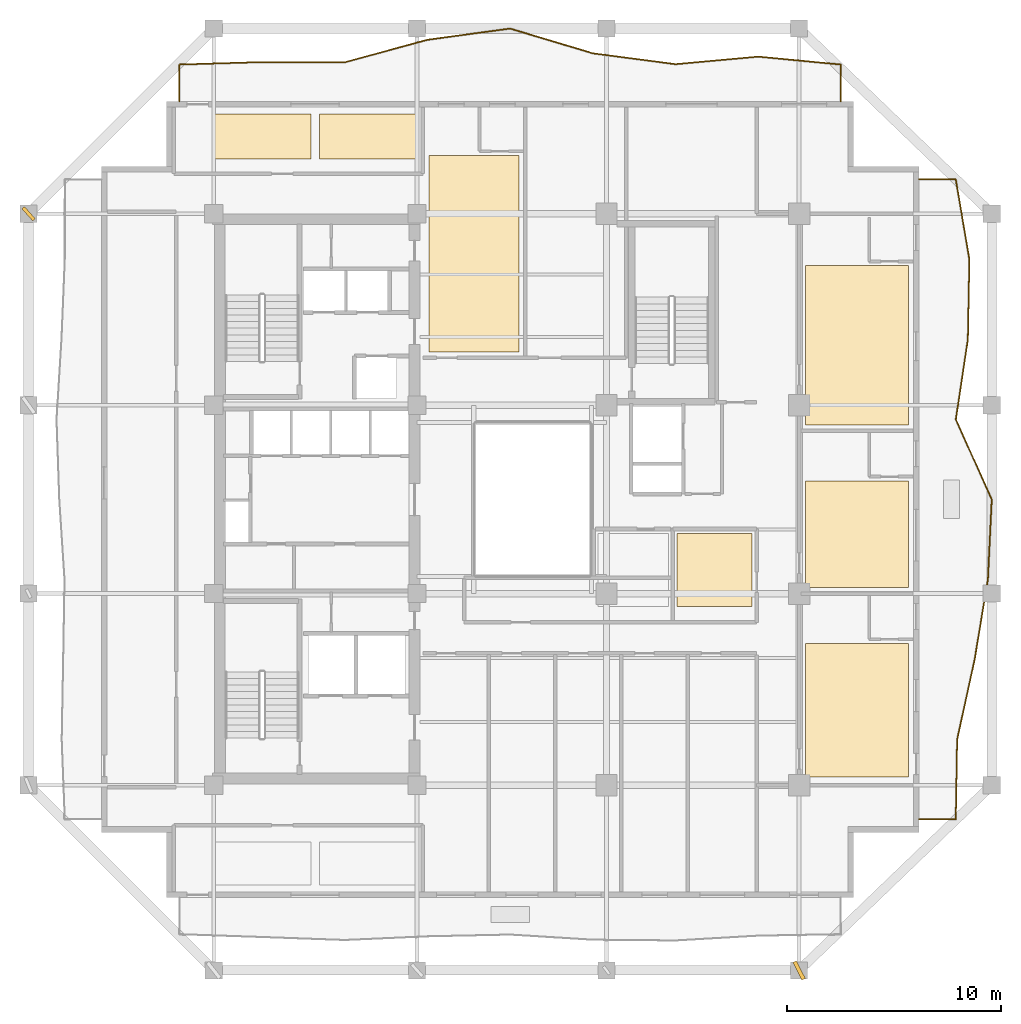
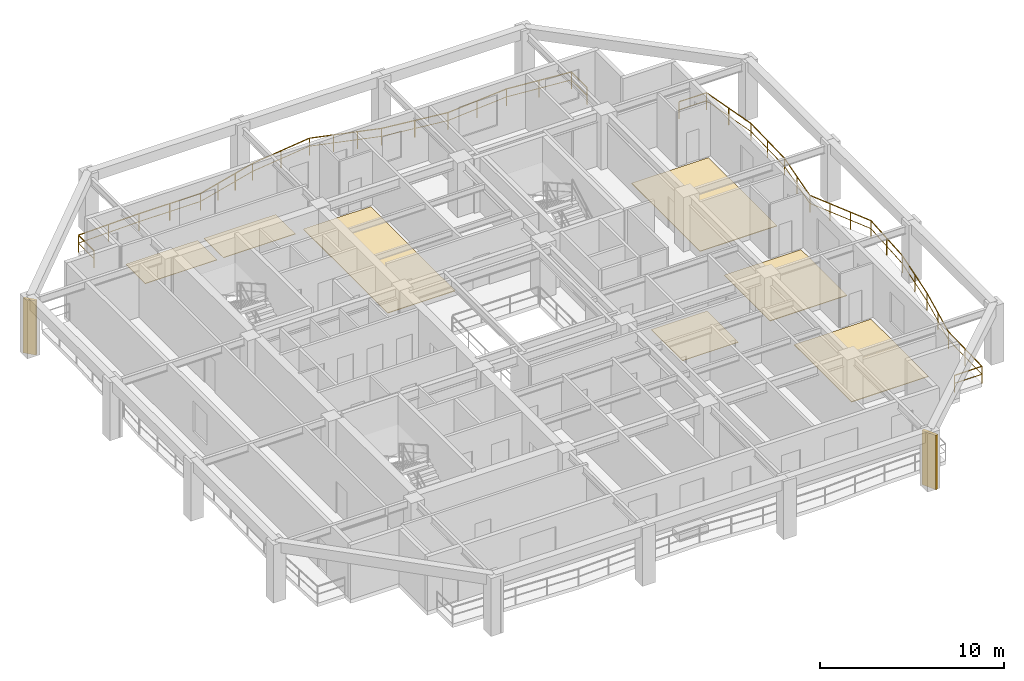
# One storey, part 10 of 11: 7 coverings, 2 railings, 2 shading devices.
"""IFC4 building model written with IfcOpenShell, lengths in metres."""

import ifcopenshell
import ifcopenshell.guid

model = None  # the IFC model being written
_history = None  # IfcOwnerHistory: only IFC2X3 demands one
_inside = {}  # id of a spatial element -> (the spatial element, [elements in it])
_under = {}  # id of a project, library or spatial element -> (it, [spatial elements below it])
_declared = {}  # id of a project -> (the project, [libraries it declares])
_typed = {}  # id of a type object -> (the type object, [elements of that type])
_made_of = {}  # id of a material, layer set ... -> (it, [elements and type objects made of it])


def new_model(schema):
    """Start an empty IFC model of exactly this schema.

    Asked for "IFC4X3", IfcOpenShell would pick the latest addendum, in which some entities
    have other attributes; the version numbers below select the first issue.
    IFC2X3 requires an IfcOwnerHistory on every rooted entity: one is made here for all.
    """
    global model, _history
    if schema == "IFC4X3":
        model = ifcopenshell.file(schema_version=(4, 3, 0, 0))
    else:
        model = ifcopenshell.file(schema=schema)
    _inside.clear()
    _under.clear()
    _declared.clear()
    _typed.clear()
    _made_of.clear()
    _history = None
    if model.schema == "IFC2X3":
        org = make("IfcOrganization", Name="unknown")
        user = make(
            "IfcPersonAndOrganization",
            ThePerson=make("IfcPerson", FamilyName="unknown"),
            TheOrganization=org,
        )
        app = make(
            "IfcApplication",
            ApplicationDeveloper=org,
            Version="unknown",
            ApplicationFullName="unknown",
            ApplicationIdentifier="unknown",
        )
        _history = make(
            "IfcOwnerHistory",
            OwningUser=user,
            OwningApplication=app,
            ChangeAction="ADDED",
            CreationDate=0,
        )
    return model


def make(cls, **values):
    """One entity of the class cls with the attributes given. An attribute that is None is left unset."""
    return model.create_entity(
        cls, **{name: value for name, value in values.items() if value is not None}
    )


def rooted(cls, **values):
    """An entity with a GlobalId (a new one), such as an element, a storey or a relation."""
    return make(cls, GlobalId=ifcopenshell.guid.new(), OwnerHistory=_history, **values)


def si_unit(unit_type, name, prefix=None):
    """IfcSIUnit, for example si_unit("LENGTHUNIT", "METRE", prefix="MILLI")."""
    return make("IfcSIUnit", UnitType=unit_type, Prefix=prefix, Name=name)


def assignment(units):
    """IfcUnitAssignment: the units of a project."""
    return None if units is None else make("IfcUnitAssignment", Units=units)


def point(xyz):
    """IfcCartesianPoint."""
    return None if xyz is None else make("IfcCartesianPoint", Coordinates=xyz)


def direction(xyz):
    """IfcDirection."""
    return None if xyz is None else make("IfcDirection", DirectionRatios=xyz)


def frame(location, z_axis=None, x_axis=None):
    """IfcAxis2Placement3D, a coordinate frame: its origin and axes. An axis left out is left unset."""
    return make(
        "IfcAxis2Placement3D",
        Location=point(location),
        Axis=direction(z_axis),
        RefDirection=direction(x_axis),
    )


def frame_2d(location, x_axis=None):
    """IfcAxis2Placement2D, a coordinate frame in the plane: its origin and x axis."""
    return make(
        "IfcAxis2Placement2D", Location=point(location), RefDirection=direction(x_axis)
    )


def origin():
    """The frame at (0, 0, 0) with its axes left unset."""
    return frame((0.0, 0.0, 0.0))


def origin_2d():
    """The frame at (0, 0) in the plane with its x axis left unset."""
    return frame_2d((0.0, 0.0))


def place(relative_to, where):
    """IfcLocalPlacement: puts the frame where relative to a parent placement (None: the world)."""
    return make(
        "IfcLocalPlacement", PlacementRelTo=relative_to, RelativePlacement=where
    )


def context(
    kind, dimensions, precision=None, world=None, true_north=None, identifier=None
):
    """IfcGeometricRepresentationContext, for example the 3D "Model" context."""
    return make(
        "IfcGeometricRepresentationContext",
        ContextIdentifier=identifier,
        ContextType=kind,
        CoordinateSpaceDimension=dimensions,
        Precision=precision,
        WorldCoordinateSystem=world,
        TrueNorth=true_north,
    )


def subcontext(parent, identifier, kind, view, scale=None):
    """IfcGeometricRepresentationSubContext, for example "Body" below "Model"."""
    return make(
        "IfcGeometricRepresentationSubContext",
        ContextIdentifier=identifier,
        ContextType=kind,
        ParentContext=parent,
        TargetScale=scale,
        TargetView=view,
    )


def project(units=None, contexts=None):
    """IfcProject with its units and contexts."""
    return rooted(
        "IfcProject",
        Name="project",
        RepresentationContexts=contexts,
        UnitsInContext=assignment(units),
    )


def spatial(cls, under=None, at=None, **own):
    """A site, building, storey or space (cls), placed at a placement, below another one or the project."""
    s = rooted(cls, ObjectPlacement=at, **own)
    if under is not None:
        _under.setdefault(under.id(), (under, []))[1].append(s)
    return s


def polyline(points):
    """IfcPolyline through the points."""
    return make("IfcPolyline", Points=[point(p) for p in points])


def profile(cls, at=None, kind="AREA", **sizes):
    """A parametric profile (cls). Its sizes go by their IFC names, for example OverallWidth=200.0."""
    return make(cls, ProfileType=kind, Position=at, **sizes)


def rectangle(**sizes):
    """IfcRectangleProfileDef."""
    return profile("IfcRectangleProfileDef", **sizes)


def outline(outer, holes=None, kind="AREA"):
    """IfcArbitraryClosedProfileDef: a profile drawn as a closed curve; with holes, ...WithVoids."""
    if holes is None:
        return make("IfcArbitraryClosedProfileDef", ProfileType=kind, OuterCurve=outer)
    return make(
        "IfcArbitraryProfileDefWithVoids",
        ProfileType=kind,
        OuterCurve=outer,
        InnerCurves=holes,
    )


def extrude(swept, where, along, depth):
    """IfcExtrudedAreaSolid: the profile swept, set in the frame where, extruded along a direction by depth."""
    return make(
        "IfcExtrudedAreaSolid",
        SweptArea=swept,
        Position=where,
        ExtrudedDirection=direction(along),
        Depth=depth,
    )


def shape(context_of_items, identifier, shape_type, items):
    """IfcShapeRepresentation: the items that make up one representation, for example the "Body"."""
    return make(
        "IfcShapeRepresentation",
        ContextOfItems=context_of_items,
        RepresentationIdentifier=identifier,
        RepresentationType=shape_type,
        Items=items,
    )


def material(Name=None, Category=None):
    """IfcMaterial."""
    return make("IfcMaterial", Name=Name, Category=Category)


def layer(
    of_material, thickness, ventilated=None, Name=None, Category=None, Priority=None
):
    """IfcMaterialLayer: one layer of a wall or slab, of a material (None: an air gap)."""
    return make(
        "IfcMaterialLayer",
        Material=of_material,
        LayerThickness=thickness,
        IsVentilated=ventilated,
        Name=Name,
        Category=Category,
        Priority=Priority,
    )


def layer_set(layers, Name=None):
    """IfcMaterialLayerSet."""
    return make("IfcMaterialLayerSet", MaterialLayers=layers, LayerSetName=Name)


def made_of(thing, what):
    """Note that an element or type object is made of a material, layer set ...; save() writes the relation."""
    if what is not None:
        _made_of.setdefault(what.id(), (what, []))[1].append(thing)
    return thing


def type_object(cls, material=None, **own):
    """A type object (cls), such as IfcWallType, which elements share."""
    return made_of(rooted(cls, **own), material)


def element(
    cls,
    number,
    at=None,
    inside=None,
    cuts=None,
    type_object=None,
    material=None,
    context=None,
    identifier="Body",
    shape_type=None,
    held_by="IfcProductDefinitionShape",
    body=None,
    shapes=None,
    **own,
):
    """One element of the class cls, such as IfcWall. Its Tag is "e" and its number.

    at: its placement. inside: the storey or other place that contains it. cuts: it is an
    opening in that element (IfcRelVoidsElement). A single representation is given by context,
    identifier, shape_type and body (its items); several are given by shapes. held_by: the class
    of the entity that holds the representations. save() writes the other relations.
    """
    e = rooted(cls, Tag="e%d" % number, ObjectPlacement=at, **own)
    if body is not None:
        shapes = [shape(context, identifier, shape_type, body)]
    if shapes is not None:
        e.Representation = make(held_by, Representations=shapes)
    if inside is not None:
        _inside.setdefault(inside.id(), (inside, []))[1].append(e)
    if cuts is not None:
        rooted(
            "IfcRelVoidsElement", RelatingBuildingElement=cuts, RelatedOpeningElement=e
        )
    if type_object is not None:
        _typed.setdefault(type_object.id(), (type_object, []))[1].append(e)
    return made_of(e, material)


def aggregate(whole, parts):
    """IfcRelAggregates: a whole, such as a stair, and the parts it consists of."""
    return rooted("IfcRelAggregates", RelatingObject=whole, RelatedObjects=parts)


def save(model, path):
    """Write the relations noted so far, then the file.

    IfcRelAggregates (storeys below a building ...), IfcRelContainedInSpatialStructure (elements
    in a storey), IfcRelDefinesByType, IfcRelAssociatesMaterial and IfcRelDeclares: one each for
    every whole, place, type object, material and project.
    """
    for whole, parts in _under.values():
        aggregate(whole, parts)
    for where, things in _inside.values():
        rooted(
            "IfcRelContainedInSpatialStructure",
            RelatedElements=things,
            RelatingStructure=where,
        )
    for kind, things in _typed.values():
        rooted("IfcRelDefinesByType", RelatedObjects=things, RelatingType=kind)
    for what, things in _made_of.values():
        rooted("IfcRelAssociatesMaterial", RelatedObjects=things, RelatingMaterial=what)
    for by, libraries in _declared.values():
        rooted("IfcRelDeclares", RelatingContext=by, RelatedDefinitions=libraries)
    model.write(path)


model = new_model("IFC4")

# Units and contexts
model_context = context("Model", 3, precision=1e-05, world=origin(), true_north=direction((0.0, 1.0)))
body_context = subcontext(model_context, "Body", "Model", "MODEL_VIEW")
ifc_project = project(units=[si_unit("LENGTHUNIT", "METRE"), si_unit("AREAUNIT", "SQUARE_METRE"), si_unit("VOLUMEUNIT", "CUBIC_METRE"), si_unit("PLANEANGLEUNIT", "RADIAN"), si_unit("MASSUNIT", "GRAM", prefix="KILO")], contexts=[model_context])

# Site, building, storey
site_placement = place(None, origin())
site = spatial("IfcSite", under=ifc_project, at=site_placement, CompositionType="ELEMENT")
building_placement = place(site_placement, origin())
building = spatial("IfcBuilding", under=site, at=building_placement, Name="Kundavana Baori Tower", CompositionType="ELEMENT")
storey_placement = place(building_placement, frame((0.0, 0.0, 146.35009765625)))
storey = spatial("IfcBuildingStorey", under=building, at=storey_placement, Name="L35", CompositionType="ELEMENT", Elevation=146.35009765625)

# Coverings
ifc_material_1 = material(Name="Honed Kota Stone and Terrazzo Flooring", Category="masonry")
ifc_layer_1 = layer(ifc_material_1, 0.0400390625, Name="COV-FLR-TERR-40")
ifc_layer_set_1 = layer_set([ifc_layer_1], Name="Honed Kota Stone and Terrazzo Flooring")
covering_type_1 = type_object("IfcCoveringType", Name="COV-FLR-TERR-40", PredefinedType="FLOORING", material=ifc_layer_set_1)
covering_1_placement = place(storey_placement, origin())
element("IfcCovering", 1, at=covering_1_placement, inside=storey, type_object=covering_type_1, Name="L35 Room Finished Stone Flooring 1", PredefinedType="FLOORING", context=body_context, shape_type="SweptSolid", body=[
    extrude(outline(polyline([(43.10009765625, 15.6298828125), (47.919921875, 15.6298828125), (47.919921875, 21.8701171875), (43.10009765625, 21.8701171875), (43.10009765625, 15.6298828125)])), origin(), (0.0, 0.0, 1.0), 0.039794921875),
])
covering_2_placement = place(storey_placement, origin())
element("IfcCovering", 2, at=covering_2_placement, inside=storey, type_object=covering_type_1, Name="L35 Room Finished Stone Flooring 2", PredefinedType="FLOORING", context=body_context, shape_type="SweptSolid", body=[
    extrude(outline(polyline([(43.10009765625, 24.47998046875), (47.919921875, 24.47998046875), (47.919921875, 29.469970703125), (43.10009765625, 29.469970703125), (43.10009765625, 24.47998046875)])), origin(), (0.0, 0.0, 1.0), 0.039794921875),
])
covering_3_placement = place(storey_placement, origin())
element("IfcCovering", 3, at=covering_3_placement, inside=storey, type_object=covering_type_1, Name="L35 Room Finished Stone Flooring 3", PredefinedType="FLOORING", context=body_context, shape_type="SweptSolid", body=[
    extrude(outline(polyline([(43.10009765625, 32.080078125), (47.919921875, 32.080078125), (47.919921875, 39.52001953125), (43.10009765625, 39.52001953125), (43.10009765625, 32.080078125)])), origin(), (0.0, 0.0, 1.0), 0.039794921875),
])
covering_4_placement = place(storey_placement, origin())
element("IfcCovering", 4, at=covering_4_placement, inside=storey, type_object=covering_type_1, Name="L35 Room Finished Stone Flooring 4", PredefinedType="FLOORING", context=body_context, shape_type="SweptSolid", body=[
    extrude(outline(polyline([(25.5, 35.5), (29.719970703125, 35.5), (29.719970703125, 44.669921875), (25.5, 44.669921875), (25.5, 35.5)])), origin(), (0.0, 0.0, 1.0), 0.039794921875),
])
ifc_material_2 = material(Name="Honed Kota Stone and Terrazzo Flooring", Category="masonry")
ifc_layer_2 = layer(ifc_material_2, 0.030029296875, Name="COV-INT-FLR")
ifc_layer_set_2 = layer_set([ifc_layer_2], Name="Honed Kota Stone and Terrazzo Flooring")
covering_type_2 = type_object("IfcCoveringType", Name="COV-INT-FLR", PredefinedType="FLOORING", material=ifc_layer_set_2)
covering_5_placement = place(storey_placement, origin())
element("IfcCovering", 5, at=covering_5_placement, inside=storey, type_object=covering_type_2, Name="L35 Room Finished Stone Flooring 7", PredefinedType="FLOORING", context=body_context, shape_type="SweptSolid", body=[
    extrude(outline(polyline([(15.5, 44.5), (20.0, 44.5), (20.0, 46.6201171875), (15.5, 46.6201171875), (15.5, 44.5)])), origin(), (0.0, 0.0, 1.0), 0.02978515625),
])
covering_6_placement = place(storey_placement, origin())
element("IfcCovering", 6, at=covering_6_placement, inside=storey, type_object=covering_type_2, Name="L35 Room Finished Stone Flooring 8", PredefinedType="FLOORING", context=body_context, shape_type="SweptSolid", body=[
    extrude(outline(polyline([(20.39990234375, 44.5), (24.89990234375, 44.5), (24.89990234375, 46.6201171875), (20.39990234375, 46.6201171875), (20.39990234375, 44.5)])), origin(), (0.0, 0.0, 1.0), 0.02978515625),
])
covering_7_placement = place(storey_placement, origin())
element("IfcCovering", 7, at=covering_7_placement, inside=storey, type_object=covering_type_2, Name="L35 Room Finished Stone Flooring 10", PredefinedType="FLOORING", context=body_context, shape_type="SweptSolid", body=[
    extrude(outline(polyline([(37.10009765625, 23.60009765625), (40.60009765625, 23.60009765625), (40.60009765625, 27.0), (37.10009765625, 27.0), (37.10009765625, 23.60009765625)])), origin(), (0.0, 0.0, 1.0), 0.02978515625),
])

# Railings
ifc_material_3 = material(Name="Architectural Patinated Bronze Metalwork")
railing_type = type_object("IfcRailingType", Name="RL-BAL-1150", PredefinedType="BALUSTRADE", material=ifc_material_3)
railing_1_placement = place(storey_placement, frame((48.39990234375, 43.550048828125, 0.0)))
element("IfcRailing", 8, at=railing_1_placement, inside=storey, type_object=railing_type, Name="L35 Loggia Balcony Balustrade E", PredefinedType="BALUSTRADE", context=body_context, shape_type="SweptSolid", body=[
    extrude(rectangle(XDim=0.048095703125, YDim=0.048095703125, at=origin_2d()), frame((0.0, 0.0, 1.1259765625), z_axis=(1.0, 0.0, 0.0), x_axis=(0.0, 1.0, 0.0)), (0.0, 0.0, 1.0), 1.72021484375),
    extrude(rectangle(XDim=0.03125, YDim=0.03125, at=origin_2d()), frame((0.0, 0.0, 0.597900390625), z_axis=(1.0, 0.0, 0.0), x_axis=(0.0, 1.0, 0.0)), (0.0, 0.0, 1.0), 1.72021484375),
    extrude(rectangle(XDim=0.048095703125, YDim=0.048095703125, at=origin_2d()), frame((1.72021484375, 0.0, 1.1259765625), z_axis=(0.167979072245, -0.985790561574, 0.0), x_axis=(0.985790561574, 0.167979072245, 0.0)), (0.0, 0.0, 1.0), 3.7919921875),
    extrude(rectangle(XDim=0.03125, YDim=0.03125, at=origin_2d()), frame((1.72021484375, 0.0, 0.597900390625), z_axis=(0.167979072245, -0.985790561574, 0.0), x_axis=(0.985790561574, 0.167979072245, 0.0)), (0.0, 0.0, 1.0), 3.7919921875),
    extrude(rectangle(XDim=0.048095703125, YDim=0.048095703125, at=origin_2d()), frame((2.357177734375, -3.738037109375, 1.1259765625), z_axis=(-0.019007475561, -0.999819341618, 0.0), x_axis=(0.999819341618, -0.019007475561, 0.0)), (0.0, 0.0, 1.0), 3.73779296875),
    extrude(rectangle(XDim=0.03125, YDim=0.03125, at=origin_2d()), frame((2.357177734375, -3.738037109375, 0.597900390625), z_axis=(-0.019007475561, -0.999819341618, 0.0), x_axis=(0.999819341618, -0.019007475561, 0.0)), (0.0, 0.0, 1.0), 3.73779296875),
    extrude(rectangle(XDim=0.048095703125, YDim=0.048095703125, at=origin_2d()), frame((2.2861328125, -7.47509765625, 1.1259765625), z_axis=(-0.148931000172, -0.988847590475, 0.0), x_axis=(0.988847590475, -0.148931000172, 0.0)), (0.0, 0.0, 1.0), 3.7802734375),
    extrude(rectangle(XDim=0.03125, YDim=0.03125, at=origin_2d()), frame((2.2861328125, -7.47509765625, 0.597900390625), z_axis=(-0.148931000172, -0.988847590475, 0.0), x_axis=(0.988847590475, -0.148931000172, 0.0)), (0.0, 0.0, 1.0), 3.7802734375),
    extrude(rectangle(XDim=0.048095703125, YDim=0.048095703125, at=origin_2d()), frame((1.72314453125, -11.213134765625, 1.1259765625), z_axis=(0.409437527409, -0.91233815614, 0.0), x_axis=(0.91233815614, 0.409437527409, 0.0)), (0.0, 0.0, 1.0), 4.095947265625),
    extrude(rectangle(XDim=0.03125, YDim=0.03125, at=origin_2d()), frame((1.72314453125, -11.213134765625, 0.597900390625), z_axis=(0.409437527409, -0.91233815614, 0.0), x_axis=(0.91233815614, 0.409437527409, 0.0)), (0.0, 0.0, 1.0), 4.095947265625),
    extrude(rectangle(XDim=0.048095703125, YDim=0.048095703125, at=origin_2d()), frame((3.400146484375, -14.949951171875, 1.1259765625), z_axis=(-0.04807965925, -0.998843504442, 0.0), x_axis=(0.998843504442, -0.04807965925, 0.0)), (0.0, 0.0, 1.0), 3.742431640625),
    extrude(rectangle(XDim=0.03125, YDim=0.03125, at=origin_2d()), frame((3.400146484375, -14.949951171875, 0.597900390625), z_axis=(-0.04807965925, -0.998843504442, 0.0), x_axis=(0.998843504442, -0.04807965925, 0.0)), (0.0, 0.0, 1.0), 3.742431640625),
    extrude(rectangle(XDim=0.048095703125, YDim=0.048095703125, at=origin_2d()), frame((3.22021484375, -18.68798828125, 1.1259765625), z_axis=(-0.162945925571, -0.986635001072, 0.0), x_axis=(0.986635001072, -0.162945925571, 0.0)), (0.0, 0.0, 1.0), 3.78759765625),
    extrude(rectangle(XDim=0.03125, YDim=0.03125, at=origin_2d()), frame((3.22021484375, -18.68798828125, 0.597900390625), z_axis=(-0.162945925571, -0.986635001072, 0.0), x_axis=(0.986635001072, -0.162945925571, 0.0)), (0.0, 0.0, 1.0), 3.78759765625),
    extrude(rectangle(XDim=0.048095703125, YDim=0.048095703125, at=origin_2d()), frame((2.60302734375, -22.425048828125, 1.1259765625), z_axis=(-0.213740642932, -0.976890442966, 0.0), x_axis=(0.976890442966, -0.213740642932, 0.0)), (0.0, 0.0, 1.0), 3.826416015625),
    extrude(rectangle(XDim=0.03125, YDim=0.03125, at=origin_2d()), frame((2.60302734375, -22.425048828125, 0.597900390625), z_axis=(-0.213740642932, -0.976890442966, 0.0), x_axis=(0.976890442966, -0.213740642932, 0.0)), (0.0, 0.0, 1.0), 3.826416015625),
    extrude(rectangle(XDim=0.048095703125, YDim=0.048095703125, at=origin_2d()), frame((1.78515625, -26.1630859375, 1.1259765625), z_axis=(-0.017375047057, -0.999849042476, 0.0), x_axis=(0.999849042476, -0.017375047057, 0.0)), (0.0, 0.0, 1.0), 3.737548828125),
    extrude(rectangle(XDim=0.03125, YDim=0.03125, at=origin_2d()), frame((1.78515625, -26.1630859375, 0.597900390625), z_axis=(-0.017375047057, -0.999849042476, 0.0), x_axis=(0.999849042476, -0.017375047057, 0.0)), (0.0, 0.0, 1.0), 3.737548828125),
    extrude(rectangle(XDim=0.048095703125, YDim=0.048095703125, at=origin_2d()), frame((1.72021484375, -29.900146484375, 1.1259765625), z_axis=(-1.0, 0.0, 0.0), x_axis=(0.0, -1.0, 0.0)), (0.0, 0.0, 1.0), 1.72021484375),
    extrude(rectangle(XDim=0.03125, YDim=0.03125, at=origin_2d()), frame((1.72021484375, -29.900146484375, 0.597900390625), z_axis=(-1.0, 0.0, 0.0), x_axis=(0.0, -1.0, 0.0)), (0.0, 0.0, 1.0), 1.72021484375),
    extrude(rectangle(XDim=0.0419921875, YDim=0.0419921875, at=origin_2d()), origin(), (0.0, 0.0, 1.0), 1.101806640625),
    extrude(rectangle(XDim=0.0419921875, YDim=0.0419921875, at=origin_2d()), frame((1.72021484375, 0.0, 0.0)), (0.0, 0.0, 1.0), 1.101806640625),
    extrude(rectangle(XDim=0.0419921875, YDim=0.0419921875, at=origin_2d()), frame((2.03857421875, -1.869140625, 0.0)), (0.0, 0.0, 1.0), 1.101806640625),
    extrude(rectangle(XDim=0.0419921875, YDim=0.0419921875, at=origin_2d()), frame((2.357177734375, -3.738037109375, 0.0)), (0.0, 0.0, 1.0), 1.101806640625),
    extrude(rectangle(XDim=0.0419921875, YDim=0.0419921875, at=origin_2d()), frame((2.32177734375, -5.6064453125, 0.0)), (0.0, 0.0, 1.0), 1.101806640625),
    extrude(rectangle(XDim=0.0419921875, YDim=0.0419921875, at=origin_2d()), frame((2.2861328125, -7.47509765625, 0.0)), (0.0, 0.0, 1.0), 1.101806640625),
    extrude(rectangle(XDim=0.0419921875, YDim=0.0419921875, at=origin_2d()), frame((2.004638671875, -9.34423828125, 0.0)), (0.0, 0.0, 1.0), 1.101806640625),
    extrude(rectangle(XDim=0.0419921875, YDim=0.0419921875, at=origin_2d()), frame((1.72314453125, -11.213134765625, 0.0)), (0.0, 0.0, 1.0), 1.101806640625),
    extrude(rectangle(XDim=0.0419921875, YDim=0.0419921875, at=origin_2d()), frame((2.2822265625, -12.458740234375, 0.0)), (0.0, 0.0, 1.0), 1.101806640625),
    extrude(rectangle(XDim=0.0419921875, YDim=0.0419921875, at=origin_2d()), frame((2.841064453125, -13.704345703125, 0.0)), (0.0, 0.0, 1.0), 1.101806640625),
    extrude(rectangle(XDim=0.0419921875, YDim=0.0419921875, at=origin_2d()), frame((3.400146484375, -14.949951171875, 0.0)), (0.0, 0.0, 1.0), 1.101806640625),
    extrude(rectangle(XDim=0.0419921875, YDim=0.0419921875, at=origin_2d()), frame((3.31005859375, -16.81884765625, 0.0)), (0.0, 0.0, 1.0), 1.101806640625),
    extrude(rectangle(XDim=0.0419921875, YDim=0.0419921875, at=origin_2d()), frame((3.22021484375, -18.68798828125, 0.0)), (0.0, 0.0, 1.0), 1.101806640625),
    extrude(rectangle(XDim=0.0419921875, YDim=0.0419921875, at=origin_2d()), frame((2.91162109375, -20.556640625, 0.0)), (0.0, 0.0, 1.0), 1.101806640625),
    extrude(rectangle(XDim=0.0419921875, YDim=0.0419921875, at=origin_2d()), frame((2.60302734375, -22.425048828125, 0.0)), (0.0, 0.0, 1.0), 1.101806640625),
    extrude(rectangle(XDim=0.0419921875, YDim=0.0419921875, at=origin_2d()), frame((2.194091796875, -24.2939453125, 0.0)), (0.0, 0.0, 1.0), 1.101806640625),
    extrude(rectangle(XDim=0.0419921875, YDim=0.0419921875, at=origin_2d()), frame((1.78515625, -26.1630859375, 0.0)), (0.0, 0.0, 1.0), 1.101806640625),
    extrude(rectangle(XDim=0.0419921875, YDim=0.0419921875, at=origin_2d()), frame((1.752685546875, -28.03173828125, 0.0)), (0.0, 0.0, 1.0), 1.101806640625),
    extrude(rectangle(XDim=0.0419921875, YDim=0.0419921875, at=origin_2d()), frame((1.72021484375, -29.900146484375, 0.0)), (0.0, 0.0, 1.0), 1.101806640625),
    extrude(rectangle(XDim=0.0419921875, YDim=0.0419921875, at=origin_2d()), frame((0.0, -29.900146484375, 0.0)), (0.0, 0.0, 1.0), 1.101806640625),
])
railing_2_placement = place(storey_placement, frame((13.85009765625, 47.199951171875, 0.0)))
element("IfcRailing", 9, at=railing_2_placement, inside=storey, type_object=railing_type, Name="L35 Loggia Balcony Balustrade N", PredefinedType="BALUSTRADE", context=body_context, shape_type="SweptSolid", body=[
    extrude(rectangle(XDim=0.048095703125, YDim=0.048095703125, at=origin_2d()), frame((0.0, 0.0, 1.1259765625), z_axis=(0.0, 1.0, 0.0), x_axis=(-1.0, 0.0, 0.0)), (0.0, 0.0, 1.0), 1.719970703125),
    extrude(rectangle(XDim=0.03125, YDim=0.03125, at=origin_2d()), frame((0.0, 0.0, 0.597900390625), z_axis=(0.0, 1.0, 0.0), x_axis=(-1.0, 0.0, 0.0)), (0.0, 0.0, 1.0), 1.719970703125),
    extrude(rectangle(XDim=0.048095703125, YDim=0.048095703125, at=origin_2d()), frame((0.0, 1.719970703125, 1.1259765625), z_axis=(0.999549431854, 0.030015550647, 0.0), x_axis=(-0.030015550647, 0.999549431854, 0.0)), (0.0, 0.0, 1.0), 3.863525390625),
    extrude(rectangle(XDim=0.03125, YDim=0.03125, at=origin_2d()), frame((0.0, 1.719970703125, 0.597900390625), z_axis=(0.999549431854, 0.030015550647, 0.0), x_axis=(-0.030015550647, 0.999549431854, 0.0)), (0.0, 0.0, 1.0), 3.863525390625),
    extrude(rectangle(XDim=0.048095703125, YDim=0.048095703125, at=origin_2d()), frame((3.86181640625, 1.8359375, 1.1259765625), z_axis=(0.999995955967, -0.002843949821, 0.0), x_axis=(0.002843949821, 0.999995955967, 0.0)), (0.0, 0.0, 1.0), 3.863037109375),
    extrude(rectangle(XDim=0.03125, YDim=0.03125, at=origin_2d()), frame((3.86181640625, 1.8359375, 0.597900390625), z_axis=(0.999995955967, -0.002843949821, 0.0), x_axis=(0.002843949821, 0.999995955967, 0.0)), (0.0, 0.0, 1.0), 3.863037109375),
    extrude(rectangle(XDim=0.048095703125, YDim=0.048095703125, at=origin_2d()), frame((7.724853515625, 1.824951171875, 1.1259765625), z_axis=(0.964862257305, 0.262756207213, 0.0), x_axis=(-0.262756207213, 0.964862257305, 0.0)), (0.0, 0.0, 1.0), 4.003662109375),
    extrude(rectangle(XDim=0.03125, YDim=0.03125, at=origin_2d()), frame((7.724853515625, 1.824951171875, 0.597900390625), z_axis=(0.964862257305, 0.262756207213, 0.0), x_axis=(-0.262756207213, 0.964862257305, 0.0)), (0.0, 0.0, 1.0), 4.003662109375),
    extrude(rectangle(XDim=0.048095703125, YDim=0.048095703125, at=origin_2d()), frame((11.587890625, 2.876953125, 1.1259765625), z_axis=(0.990948338045, 0.13424377574, 0.0), x_axis=(-0.13424377574, 0.990948338045, 0.0)), (0.0, 0.0, 1.0), 3.897216796875),
    extrude(rectangle(XDim=0.03125, YDim=0.03125, at=origin_2d()), frame((11.587890625, 2.876953125, 0.597900390625), z_axis=(0.990948338045, 0.13424377574, 0.0), x_axis=(-0.13424377574, 0.990948338045, 0.0)), (0.0, 0.0, 1.0), 3.897216796875),
    extrude(rectangle(XDim=0.048095703125, YDim=0.048095703125, at=origin_2d()), frame((15.449951171875, 3.400146484375, 1.1259765625), z_axis=(0.958024360207, -0.2866868069, 0.0), x_axis=(0.2866868069, 0.958024360207, 0.0)), (0.0, 0.0, 1.0), 4.0322265625),
    extrude(rectangle(XDim=0.03125, YDim=0.03125, at=origin_2d()), frame((15.449951171875, 3.400146484375, 0.597900390625), z_axis=(0.958024360207, -0.2866868069, 0.0), x_axis=(0.2866868069, 0.958024360207, 0.0)), (0.0, 0.0, 1.0), 4.0322265625),
    extrude(rectangle(XDim=0.048095703125, YDim=0.048095703125, at=origin_2d()), frame((19.31298828125, 2.244140625, 1.1259765625), z_axis=(0.991489248638, -0.130188593338, 0.0), x_axis=(0.130188593338, 0.991489248638, 0.0)), (0.0, 0.0, 1.0), 3.89501953125),
    extrude(rectangle(XDim=0.03125, YDim=0.03125, at=origin_2d()), frame((19.31298828125, 2.244140625, 0.597900390625), z_axis=(0.991489248638, -0.130188593338, 0.0), x_axis=(0.130188593338, 0.991489248638, 0.0)), (0.0, 0.0, 1.0), 3.89501953125),
    extrude(rectangle(XDim=0.048095703125, YDim=0.048095703125, at=origin_2d()), frame((23.1748046875, 1.737060546875, 1.1259765625), z_axis=(0.995870987816, 0.090779819485, 0.0), x_axis=(-0.090779819485, 0.995870987816, 0.0)), (0.0, 0.0, 1.0), 3.878173828125),
    extrude(rectangle(XDim=0.03125, YDim=0.03125, at=origin_2d()), frame((23.1748046875, 1.737060546875, 0.597900390625), z_axis=(0.995870987816, 0.090779819485, 0.0), x_axis=(-0.090779819485, 0.995870987816, 0.0)), (0.0, 0.0, 1.0), 3.878173828125),
    extrude(rectangle(XDim=0.048095703125, YDim=0.048095703125, at=origin_2d()), frame((27.036865234375, 2.089111328125, 1.1259765625), z_axis=(0.995465451024, -0.095123792072, 0.0), x_axis=(0.095123792072, 0.995465451024, 0.0)), (0.0, 0.0, 1.0), 3.880615234375),
    extrude(rectangle(XDim=0.03125, YDim=0.03125, at=origin_2d()), frame((27.036865234375, 2.089111328125, 0.597900390625), z_axis=(0.995465451024, -0.095123792072, 0.0), x_axis=(0.095123792072, 0.995465451024, 0.0)), (0.0, 0.0, 1.0), 3.880615234375),
    extrude(rectangle(XDim=0.048095703125, YDim=0.048095703125, at=origin_2d()), frame((30.89990234375, 1.719970703125, 1.1259765625), z_axis=(0.0, -1.0, 0.0), x_axis=(1.0, 0.0, 0.0)), (0.0, 0.0, 1.0), 1.719970703125),
    extrude(rectangle(XDim=0.03125, YDim=0.03125, at=origin_2d()), frame((30.89990234375, 1.719970703125, 0.597900390625), z_axis=(0.0, -1.0, 0.0), x_axis=(1.0, 0.0, 0.0)), (0.0, 0.0, 1.0), 1.719970703125),
    extrude(rectangle(XDim=0.0419921875, YDim=0.0419921875, at=origin_2d()), origin(), (0.0, 0.0, 1.0), 1.101806640625),
    extrude(rectangle(XDim=0.0419921875, YDim=0.0419921875, at=origin_2d()), frame((0.0, 1.719970703125, 0.0)), (0.0, 0.0, 1.0), 1.101806640625),
    extrude(rectangle(XDim=0.0419921875, YDim=0.0419921875, at=origin_2d()), frame((1.930908203125, 1.77783203125, 0.0)), (0.0, 0.0, 1.0), 1.101806640625),
    extrude(rectangle(XDim=0.0419921875, YDim=0.0419921875, at=origin_2d()), frame((3.86181640625, 1.8359375, 0.0)), (0.0, 0.0, 1.0), 1.101806640625),
    extrude(rectangle(XDim=0.0419921875, YDim=0.0419921875, at=origin_2d()), frame((5.79345703125, 1.83056640625, 0.0)), (0.0, 0.0, 1.0), 1.101806640625),
    extrude(rectangle(XDim=0.0419921875, YDim=0.0419921875, at=origin_2d()), frame((7.724853515625, 1.824951171875, 0.0)), (0.0, 0.0, 1.0), 1.101806640625),
    extrude(rectangle(XDim=0.0419921875, YDim=0.0419921875, at=origin_2d()), frame((9.012451171875, 2.175537109375, 0.0)), (0.0, 0.0, 1.0), 1.101806640625),
    extrude(rectangle(XDim=0.0419921875, YDim=0.0419921875, at=origin_2d()), frame((10.30029296875, 2.5263671875, 0.0)), (0.0, 0.0, 1.0), 1.101806640625),
    extrude(rectangle(XDim=0.0419921875, YDim=0.0419921875, at=origin_2d()), frame((11.587890625, 2.876953125, 0.0)), (0.0, 0.0, 1.0), 1.101806640625),
    extrude(rectangle(XDim=0.0419921875, YDim=0.0419921875, at=origin_2d()), frame((13.51904296875, 3.138671875, 0.0)), (0.0, 0.0, 1.0), 1.101806640625),
    extrude(rectangle(XDim=0.0419921875, YDim=0.0419921875, at=origin_2d()), frame((15.449951171875, 3.400146484375, 0.0)), (0.0, 0.0, 1.0), 1.101806640625),
    extrude(rectangle(XDim=0.0419921875, YDim=0.0419921875, at=origin_2d()), frame((16.737548828125, 3.014892578125, 0.0)), (0.0, 0.0, 1.0), 1.101806640625),
    extrude(rectangle(XDim=0.0419921875, YDim=0.0419921875, at=origin_2d()), frame((18.025390625, 2.62939453125, 0.0)), (0.0, 0.0, 1.0), 1.101806640625),
    extrude(rectangle(XDim=0.0419921875, YDim=0.0419921875, at=origin_2d()), frame((19.31298828125, 2.244140625, 0.0)), (0.0, 0.0, 1.0), 1.101806640625),
    extrude(rectangle(XDim=0.0419921875, YDim=0.0419921875, at=origin_2d()), frame((21.243896484375, 1.99072265625, 0.0)), (0.0, 0.0, 1.0), 1.101806640625),
    extrude(rectangle(XDim=0.0419921875, YDim=0.0419921875, at=origin_2d()), frame((23.1748046875, 1.737060546875, 0.0)), (0.0, 0.0, 1.0), 1.101806640625),
    extrude(rectangle(XDim=0.0419921875, YDim=0.0419921875, at=origin_2d()), frame((25.10595703125, 1.9130859375, 0.0)), (0.0, 0.0, 1.0), 1.101806640625),
    extrude(rectangle(XDim=0.0419921875, YDim=0.0419921875, at=origin_2d()), frame((27.036865234375, 2.089111328125, 0.0)), (0.0, 0.0, 1.0), 1.101806640625),
    extrude(rectangle(XDim=0.0419921875, YDim=0.0419921875, at=origin_2d()), frame((28.96826171875, 1.904541015625, 0.0)), (0.0, 0.0, 1.0), 1.101806640625),
    extrude(rectangle(XDim=0.0419921875, YDim=0.0419921875, at=origin_2d()), frame((30.89990234375, 1.719970703125, 0.0)), (0.0, 0.0, 1.0), 1.101806640625),
    extrude(rectangle(XDim=0.0419921875, YDim=0.0419921875, at=origin_2d()), frame((30.89990234375, 0.0, 0.0)), (0.0, 0.0, 1.0), 1.101806640625),
])

# Shading devices
ifc_material_4 = material(Name="Red-Buff Dholpur Sandstone Cladding on Concrete C40/50", Category="masonry")
shading_device_type_1 = type_object("IfcShadingDeviceType", Name="SHD-FIN-750", PredefinedType="JALOUSIE", material=ifc_material_4)
shading_device_1_placement = place(storey_placement, frame((6.800048828125, 41.949951171875, -0.000244140625), z_axis=(0.0, 0.0, 1.0), x_axis=(0.744777599887, 0.667312765281, 0.0)))
element("IfcShadingDevice", 10, at=shading_device_1_placement, inside=storey, type_object=shading_device_type_1, Name="L35 Sweeping Dholpur Sandstone Facade Fin 8", PredefinedType="JALOUSIE", context=body_context, shape_type="SweptSolid", body=[
    extrude(rectangle(XDim=0.159912109375, YDim=0.75, at=origin_2d()), origin(), (0.0, 0.0, 1.0), 3.60009765625),
])
ifc_material_5 = material(Name="Red-Buff Dholpur Sandstone Cladding on Concrete C40/50", Category="masonry")
shading_device_type_2 = type_object("IfcShadingDeviceType", Name="SHD-FIN-920", PredefinedType="JALOUSIE", material=ifc_material_5)
shading_device_2_placement = place(storey_placement, frame((42.800048828125, 6.60009765625, -0.000244140625), z_axis=(0.0, 0.0, 1.0), x_axis=(0.892270829056, 0.451500573218, 0.0)))
element("IfcShadingDevice", 11, at=shading_device_2_placement, inside=storey, type_object=shading_device_type_2, Name="L35 Sweeping Dholpur Sandstone Facade Fin 4", PredefinedType="JALOUSIE", context=body_context, shape_type="SweptSolid", body=[
    extrude(rectangle(XDim=0.179931640625, YDim=0.919921875, at=origin_2d()), origin(), (0.0, 0.0, 1.0), 3.60009765625),
])

save(model, "model.ifc")
